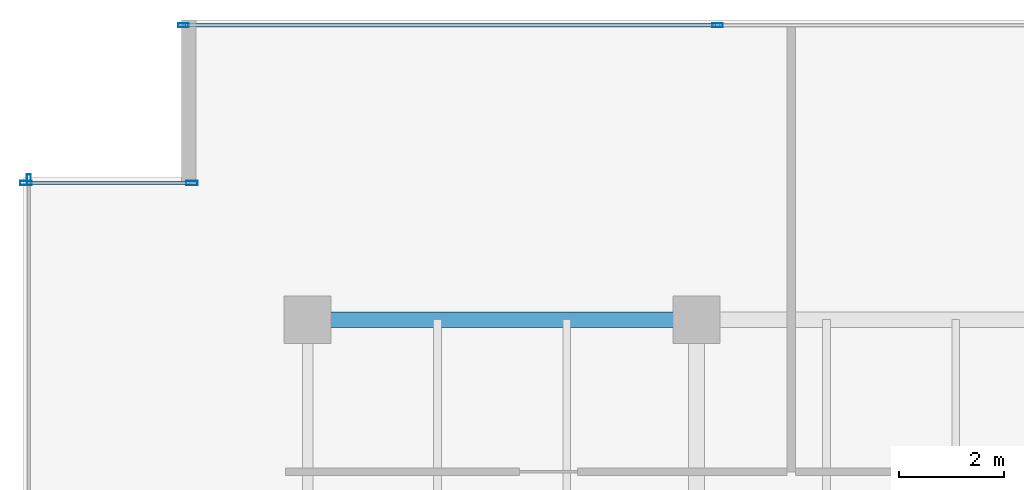
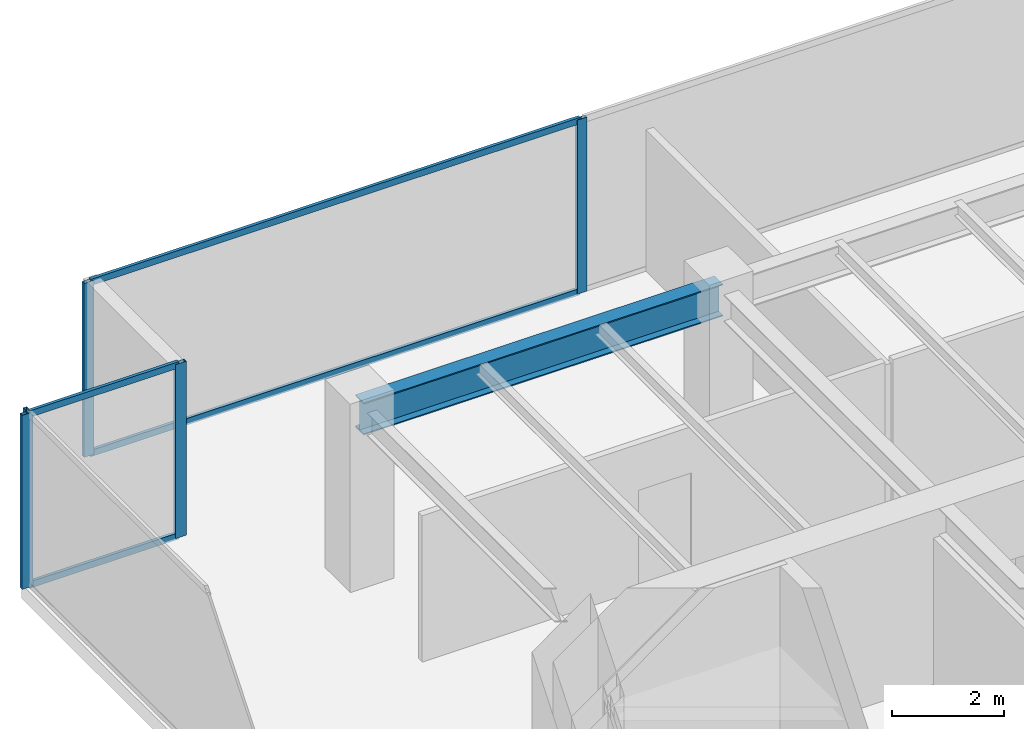
# One storey, part 14 of 31: 9 members, 1 beam, 3 elements without a shape of their own.
"""IFC4 building model written with IfcOpenShell, lengths in metres."""

import ifcopenshell
import ifcopenshell.guid

model = None  # the IFC model being written
_history = None  # IfcOwnerHistory: only IFC2X3 demands one
_inside = {}  # id of a spatial element -> (the spatial element, [elements in it])
_under = {}  # id of a project, library or spatial element -> (it, [spatial elements below it])
_declared = {}  # id of a project -> (the project, [libraries it declares])
_typed = {}  # id of a type object -> (the type object, [elements of that type])
_made_of = {}  # id of a material, layer set ... -> (it, [elements and type objects made of it])


def new_model(schema):
    """Start an empty IFC model of exactly this schema.

    Asked for "IFC4X3", IfcOpenShell would pick the latest addendum, in which some entities
    have other attributes; the version numbers below select the first issue.
    IFC2X3 requires an IfcOwnerHistory on every rooted entity: one is made here for all.
    """
    global model, _history
    if schema == "IFC4X3":
        model = ifcopenshell.file(schema_version=(4, 3, 0, 0))
    else:
        model = ifcopenshell.file(schema=schema)
    _inside.clear()
    _under.clear()
    _declared.clear()
    _typed.clear()
    _made_of.clear()
    _history = None
    if model.schema == "IFC2X3":
        org = make("IfcOrganization", Name="unknown")
        user = make(
            "IfcPersonAndOrganization",
            ThePerson=make("IfcPerson", FamilyName="unknown"),
            TheOrganization=org,
        )
        app = make(
            "IfcApplication",
            ApplicationDeveloper=org,
            Version="unknown",
            ApplicationFullName="unknown",
            ApplicationIdentifier="unknown",
        )
        _history = make(
            "IfcOwnerHistory",
            OwningUser=user,
            OwningApplication=app,
            ChangeAction="ADDED",
            CreationDate=0,
        )
    return model


def make(cls, **values):
    """One entity of the class cls with the attributes given. An attribute that is None is left unset."""
    return model.create_entity(
        cls, **{name: value for name, value in values.items() if value is not None}
    )


def rooted(cls, **values):
    """An entity with a GlobalId (a new one), such as an element, a storey or a relation."""
    return make(cls, GlobalId=ifcopenshell.guid.new(), OwnerHistory=_history, **values)


def si_unit(unit_type, name, prefix=None):
    """IfcSIUnit, for example si_unit("LENGTHUNIT", "METRE", prefix="MILLI")."""
    return make("IfcSIUnit", UnitType=unit_type, Prefix=prefix, Name=name)


def assignment(units):
    """IfcUnitAssignment: the units of a project."""
    return None if units is None else make("IfcUnitAssignment", Units=units)


def point(xyz):
    """IfcCartesianPoint."""
    return None if xyz is None else make("IfcCartesianPoint", Coordinates=xyz)


def direction(xyz):
    """IfcDirection."""
    return None if xyz is None else make("IfcDirection", DirectionRatios=xyz)


def frame(location, z_axis=None, x_axis=None):
    """IfcAxis2Placement3D, a coordinate frame: its origin and axes. An axis left out is left unset."""
    return make(
        "IfcAxis2Placement3D",
        Location=point(location),
        Axis=direction(z_axis),
        RefDirection=direction(x_axis),
    )


def frame_2d(location, x_axis=None):
    """IfcAxis2Placement2D, a coordinate frame in the plane: its origin and x axis."""
    return make(
        "IfcAxis2Placement2D", Location=point(location), RefDirection=direction(x_axis)
    )


def origin():
    """The frame at (0, 0, 0) with its axes left unset."""
    return frame((0.0, 0.0, 0.0))


def origin_2d():
    """The frame at (0, 0) in the plane with its x axis left unset."""
    return frame_2d((0.0, 0.0))


def place(relative_to, where):
    """IfcLocalPlacement: puts the frame where relative to a parent placement (None: the world)."""
    return make(
        "IfcLocalPlacement", PlacementRelTo=relative_to, RelativePlacement=where
    )


def context(
    kind, dimensions, precision=None, world=None, true_north=None, identifier=None
):
    """IfcGeometricRepresentationContext, for example the 3D "Model" context."""
    return make(
        "IfcGeometricRepresentationContext",
        ContextIdentifier=identifier,
        ContextType=kind,
        CoordinateSpaceDimension=dimensions,
        Precision=precision,
        WorldCoordinateSystem=world,
        TrueNorth=true_north,
    )


def subcontext(parent, identifier, kind, view, scale=None):
    """IfcGeometricRepresentationSubContext, for example "Body" below "Model"."""
    return make(
        "IfcGeometricRepresentationSubContext",
        ContextIdentifier=identifier,
        ContextType=kind,
        ParentContext=parent,
        TargetScale=scale,
        TargetView=view,
    )


def project(units=None, contexts=None):
    """IfcProject with its units and contexts."""
    return rooted(
        "IfcProject",
        Name="project",
        RepresentationContexts=contexts,
        UnitsInContext=assignment(units),
    )


def spatial(cls, under=None, at=None, **own):
    """A site, building, storey or space (cls), placed at a placement, below another one or the project."""
    s = rooted(cls, ObjectPlacement=at, **own)
    if under is not None:
        _under.setdefault(under.id(), (under, []))[1].append(s)
    return s


def profile(cls, at=None, kind="AREA", **sizes):
    """A parametric profile (cls). Its sizes go by their IFC names, for example OverallWidth=200.0."""
    return make(cls, ProfileType=kind, Position=at, **sizes)


def hollow_rectangle(**sizes):
    """IfcRectangleHollowProfileDef."""
    return profile("IfcRectangleHollowProfileDef", **sizes)


def i_section(**sizes):
    """IfcIShapeProfileDef."""
    return profile("IfcIShapeProfileDef", **sizes)


def extrude(swept, where, along, depth):
    """IfcExtrudedAreaSolid: the profile swept, set in the frame where, extruded along a direction by depth."""
    return make(
        "IfcExtrudedAreaSolid",
        SweptArea=swept,
        Position=where,
        ExtrudedDirection=direction(along),
        Depth=depth,
    )


def shape(context_of_items, identifier, shape_type, items):
    """IfcShapeRepresentation: the items that make up one representation, for example the "Body"."""
    return make(
        "IfcShapeRepresentation",
        ContextOfItems=context_of_items,
        RepresentationIdentifier=identifier,
        RepresentationType=shape_type,
        Items=items,
    )


def source(mapping_origin, context_of_items, identifier, shape_type, items):
    """IfcRepresentationMap: a shape defined once, which mapped items show again and again."""
    return make(
        "IfcRepresentationMap",
        MappingOrigin=mapping_origin,
        MappedRepresentation=shape(context_of_items, identifier, shape_type, items),
    )


def transform(
    local_origin,
    x_axis=None,
    y_axis=None,
    z_axis=None,
    scale=None,
    scale2=None,
    scale3=None,
    uniform=True,
):
    """IfcCartesianTransformationOperator3D, or its non-uniform kind. x_axis, y_axis, z_axis: its Axis1, 2, 3."""
    if uniform:
        return make(
            "IfcCartesianTransformationOperator3D",
            Axis1=direction(x_axis),
            Axis2=direction(y_axis),
            LocalOrigin=point(local_origin),
            Scale=scale,
            Axis3=direction(z_axis),
        )
    return make(
        "IfcCartesianTransformationOperator3DnonUniform",
        Axis1=direction(x_axis),
        Axis2=direction(y_axis),
        LocalOrigin=point(local_origin),
        Scale=scale,
        Axis3=direction(z_axis),
        Scale2=scale2,
        Scale3=scale3,
    )


def mapped(mapping_source, mapping_target):
    """IfcMappedItem: shows the shape of a source again, moved by a transform."""
    return make(
        "IfcMappedItem", MappingSource=mapping_source, MappingTarget=mapping_target
    )


def material(Name=None, Category=None):
    """IfcMaterial."""
    return make("IfcMaterial", Name=Name, Category=Category)


def layer(
    of_material, thickness, ventilated=None, Name=None, Category=None, Priority=None
):
    """IfcMaterialLayer: one layer of a wall or slab, of a material (None: an air gap)."""
    return make(
        "IfcMaterialLayer",
        Material=of_material,
        LayerThickness=thickness,
        IsVentilated=ventilated,
        Name=Name,
        Category=Category,
        Priority=Priority,
    )


def layer_set(layers, Name=None):
    """IfcMaterialLayerSet."""
    return make("IfcMaterialLayerSet", MaterialLayers=layers, LayerSetName=Name)


def material_profile(
    of_material, cross_section, Name=None, Category=None, Priority=None
):
    """IfcMaterialProfile: a cross section and its material."""
    return make(
        "IfcMaterialProfile",
        Name=Name,
        Material=of_material,
        Profile=cross_section,
        Priority=Priority,
        Category=Category,
    )


def profile_set(profiles, Name=None, composite=None):
    """IfcMaterialProfileSet."""
    return make(
        "IfcMaterialProfileSet",
        Name=Name,
        MaterialProfiles=profiles,
        CompositeProfile=composite,
    )


def made_of(thing, what):
    """Note that an element or type object is made of a material, layer set ...; save() writes the relation."""
    if what is not None:
        _made_of.setdefault(what.id(), (what, []))[1].append(thing)
    return thing


def type_object(cls, material=None, **own):
    """A type object (cls), such as IfcWallType, which elements share."""
    return made_of(rooted(cls, **own), material)


def type_shapes(of_type, sources):
    """Give a type object the sources (RepresentationMaps) that its elements show as mapped items."""
    of_type.RepresentationMaps = sources


def element(
    cls,
    number,
    at=None,
    inside=None,
    cuts=None,
    type_object=None,
    material=None,
    context=None,
    identifier="Body",
    shape_type=None,
    held_by="IfcProductDefinitionShape",
    body=None,
    shapes=None,
    **own,
):
    """One element of the class cls, such as IfcWall. Its Tag is "e" and its number.

    at: its placement. inside: the storey or other place that contains it. cuts: it is an
    opening in that element (IfcRelVoidsElement). A single representation is given by context,
    identifier, shape_type and body (its items); several are given by shapes. held_by: the class
    of the entity that holds the representations. save() writes the other relations.
    """
    e = rooted(cls, Tag="e%d" % number, ObjectPlacement=at, **own)
    if body is not None:
        shapes = [shape(context, identifier, shape_type, body)]
    if shapes is not None:
        e.Representation = make(held_by, Representations=shapes)
    if inside is not None:
        _inside.setdefault(inside.id(), (inside, []))[1].append(e)
    if cuts is not None:
        rooted(
            "IfcRelVoidsElement", RelatingBuildingElement=cuts, RelatedOpeningElement=e
        )
    if type_object is not None:
        _typed.setdefault(type_object.id(), (type_object, []))[1].append(e)
    return made_of(e, material)


def aggregate(whole, parts):
    """IfcRelAggregates: a whole, such as a stair, and the parts it consists of."""
    return rooted("IfcRelAggregates", RelatingObject=whole, RelatedObjects=parts)


def save(model, path):
    """Write the relations noted so far, then the file.

    IfcRelAggregates (storeys below a building ...), IfcRelContainedInSpatialStructure (elements
    in a storey), IfcRelDefinesByType, IfcRelAssociatesMaterial and IfcRelDeclares: one each for
    every whole, place, type object, material and project.
    """
    for whole, parts in _under.values():
        aggregate(whole, parts)
    for where, things in _inside.values():
        rooted(
            "IfcRelContainedInSpatialStructure",
            RelatedElements=things,
            RelatingStructure=where,
        )
    for kind, things in _typed.values():
        rooted("IfcRelDefinesByType", RelatedObjects=things, RelatingType=kind)
    for what, things in _made_of.values():
        rooted("IfcRelAssociatesMaterial", RelatedObjects=things, RelatingMaterial=what)
    for by, libraries in _declared.values():
        rooted("IfcRelDeclares", RelatingContext=by, RelatedDefinitions=libraries)
    model.write(path)


model = new_model("IFC4")

# Units and contexts
model_context = context("Model", 3, precision=1e-05, world=origin(), true_north=direction((0.0, 1.0)))
body_context = subcontext(model_context, "Body", "Model", "MODEL_VIEW")
ifc_project = project(units=[si_unit("LENGTHUNIT", "METRE"), si_unit("AREAUNIT", "SQUARE_METRE"), si_unit("VOLUMEUNIT", "CUBIC_METRE"), si_unit("PLANEANGLEUNIT", "RADIAN"), si_unit("MASSUNIT", "GRAM", prefix="KILO")], contexts=[model_context])

# Site, building, storey
site_placement = place(None, origin())
site = spatial("IfcSite", under=ifc_project, at=site_placement, CompositionType="ELEMENT")
building_placement = place(site_placement, origin())
building = spatial("IfcBuilding", under=site, at=building_placement, Name="Haelvirn Gate Laboratories", CompositionType="ELEMENT")
storey_placement = place(building_placement, frame((0.0, 0.0, 174.800048828125)))
storey = spatial("IfcBuildingStorey", under=building, at=storey_placement, Name="L42", CompositionType="ELEMENT", Elevation=174.800048828125)

# Beam
ifc_material_1 = material(Name="Steel SM355", Category="steel")
ifc_material_profile_1 = material_profile(ifc_material_1, i_section(OverallWidth=0.300048828125, OverallDepth=0.699951171875, WebThickness=0.012939453125, FlangeThickness=0.02392578125, at=origin_2d()), Name="H-700x300x13x24")
ifc_profile_set_1 = profile_set([ifc_material_profile_1], Name="Steel SM355")
beam_type = type_object("IfcBeamType", Name="BM-G-700", PredefinedType="BEAM", material=ifc_profile_set_1)
shared_shape_1 = source(origin(), body_context, "Body", "SweptSolid", [
    extrude(i_section(OverallWidth=0.300048828125, OverallDepth=0.699951171875, WebThickness=0.012939453125, FlangeThickness=0.02392578125, at=origin_2d()), origin(), (0.0, 0.0, 1.0), 7.400146484375),
])
type_shapes(beam_type, [shared_shape_1])
beam_placement = place(storey_placement, frame((7.39990234375, 41.60009765625, 3.43994140625), z_axis=(1.0, 0.0, 0.0), x_axis=(0.0, 1.0, 0.0)))
element("IfcBeam", 1, at=beam_placement, inside=storey, type_object=beam_type, Name="L42 Primary Girder Y41.6 (7.4-14.8)", PredefinedType="BEAM", context=body_context, shape_type="MappedRepresentation", body=[
    mapped(shared_shape_1, transform((0.0, 0.0, 0.0), scale=1.0)),
])

# Curtain wall, members
ifc_material_2 = material(Name="Anodised bronze unitised aluminium & triple low-E glass", Category="aluminium")
ifc_layer_1 = layer(ifc_material_2, 0.179931640625, Name="CW-SYS-3")
ifc_layer_set_1 = layer_set([ifc_layer_1], Name="Anodised bronze unitised aluminium & triple low-E glass")
curtain_wall_type_1 = type_object("IfcCurtainWallType", Name="CW-SYS-3", PredefinedType="NOTDEFINED", material=ifc_layer_set_1)
curtain_wall_1_placement = place(storey_placement, origin())
curtain_wall_1 = element("IfcCurtainWall", 2, at=curtain_wall_1_placement, inside=storey, type_object=curtain_wall_type_1, Name="L42 Unitised Curtain Wall CW-L42-P0-E14-1", PredefinedType="NOTDEFINED")
ifc_material_3 = material(Name="Extruded aluminium 6063-T6 (anodised bronze)", Category="aluminium")
ifc_material_profile_2 = material_profile(ifc_material_3, hollow_rectangle(XDim=0.06494140625, YDim=0.139892578125, WallThickness=0.00390625, at=origin_2d()), Name="CWT-140x65x4")
ifc_profile_set_2 = profile_set([ifc_material_profile_2], Name="Extruded aluminium 6063-T6 (anodised bronze)")
member_type_1 = type_object("IfcMemberType", Name="CWT-T140", PredefinedType="USERDEFINED", material=ifc_profile_set_2)
shared_shape_2 = source(origin(), body_context, "Body", "SweptSolid", [
    extrude(hollow_rectangle(XDim=0.06494140625, YDim=0.139892578125, WallThickness=0.00390625, at=origin_2d()), origin(), (0.0, 0.0, 1.0), 10.087646484375),
])
member_1_placement = place(storey_placement, frame((5.074951171875, 47.199951171875, 0.032470703125), z_axis=(1.0, 0.0, 0.0), x_axis=(0.0, 1.0, 0.0)))
member_1 = element("IfcMember", 3, at=member_1_placement, type_object=member_type_1, Name="CW3 transom 1.1", ObjectType="TRANSOM", PredefinedType="USERDEFINED", context=body_context, shape_type="MappedRepresentation", body=[
    mapped(shared_shape_2, transform((0.0, 0.0, 0.0), scale=1.0)),
])
member_2_placement = place(storey_placement, frame((5.074951171875, 47.199951171875, 3.757568359375), z_axis=(1.0, 0.0, 0.0), x_axis=(0.0, 1.0, 0.0)))
member_2 = element("IfcMember", 4, at=member_2_placement, type_object=member_type_1, Name="CW3 transom 1.2", ObjectType="TRANSOM", PredefinedType="USERDEFINED", context=body_context, shape_type="MappedRepresentation", body=[
    mapped(shared_shape_2, transform((0.0, 0.0, 0.0), scale=1.0)),
])

ifc_layer_2 = layer(ifc_material_2, 0.181884765625, Name="CW-SYS-5")
ifc_layer_set_2 = layer_set([ifc_layer_2], Name="Anodised bronze unitised aluminium & triple low-E glass")
curtain_wall_type_2 = type_object("IfcCurtainWallType", Name="CW-SYS-5", PredefinedType="NOTDEFINED", material=ifc_layer_set_2)
curtain_wall_2_placement = place(storey_placement, origin())
curtain_wall_2 = element("IfcCurtainWall", 5, at=curtain_wall_2_placement, inside=storey, type_object=curtain_wall_type_2, Name="L42 Unitised Curtain Wall CW-L42-P0-E16-1", PredefinedType="NOTDEFINED")
shared_shape_3 = source(origin(), body_context, "Body", "SweptSolid", [
    extrude(hollow_rectangle(XDim=0.06494140625, YDim=0.139892578125, WallThickness=0.00390625, at=origin_2d()), origin(), (0.0, 0.0, 1.0), 3.079833984375),
])
type_shapes(member_type_1, [shared_shape_2, shared_shape_3])
member_3_placement = place(storey_placement, frame((2.080078125, 44.199951171875, 0.032470703125), z_axis=(1.0, 0.0, 0.0), x_axis=(0.0, 1.0, 0.0)))
member_3 = element("IfcMember", 6, at=member_3_placement, type_object=member_type_1, Name="CW5 transom 1.1", ObjectType="TRANSOM", PredefinedType="USERDEFINED", context=body_context, shape_type="MappedRepresentation", body=[
    mapped(shared_shape_3, transform((0.0, 0.0, 0.0), scale=1.0)),
])
member_4_placement = place(storey_placement, frame((2.080078125, 44.199951171875, 3.757568359375), z_axis=(1.0, 0.0, 0.0), x_axis=(0.0, 1.0, 0.0)))
member_4 = element("IfcMember", 7, at=member_4_placement, type_object=member_type_1, Name="CW5 transom 1.2", ObjectType="TRANSOM", PredefinedType="USERDEFINED", context=body_context, shape_type="MappedRepresentation", body=[
    mapped(shared_shape_3, transform((0.0, 0.0, 0.0), scale=1.0)),
])

# Member
ifc_material_profile_3 = material_profile(ifc_material_3, hollow_rectangle(XDim=0.074951171875, YDim=0.199951171875, WallThickness=0.0048828125, at=origin_2d()), Name="CWM-200x75x5")
ifc_profile_set_3 = profile_set([ifc_material_profile_3], Name="Extruded aluminium 6063-T6 (anodised bronze)")
member_type_2 = type_object("IfcMemberType", Name="CWM-T200", PredefinedType="MULLION", material=ifc_profile_set_3)
shared_shape_4 = source(origin(), body_context, "Body", "SweptSolid", [
    extrude(hollow_rectangle(XDim=0.074951171875, YDim=0.199951171875, WallThickness=0.0048828125, at=origin_2d()), origin(), (0.0, 0.0, 1.0), 3.7900390625),
])
type_shapes(member_type_2, [shared_shape_4])
member_5_placement = place(storey_placement, frame((5.03759765625, 47.199951171875, 0.0), z_axis=(0.0, 0.0, 1.0), x_axis=(0.0, 1.0, 0.0)))
member_5 = element("IfcMember", 8, at=member_5_placement, type_object=member_type_2, Name="CW3 mullion 1", PredefinedType="MULLION", context=body_context, shape_type="MappedRepresentation", body=[
    mapped(shared_shape_4, transform((0.0, 0.0, 0.0), scale=1.0)),
])

member_6_placement = place(storey_placement, frame((15.199951171875, 47.199951171875, 0.0), z_axis=(0.0, 0.0, 1.0), x_axis=(0.0, 1.0, 0.0)))
member_6 = element("IfcMember", 9, at=member_6_placement, type_object=member_type_2, Name="CW3 mullion 2", PredefinedType="MULLION", context=body_context, shape_type="MappedRepresentation", body=[
    mapped(shared_shape_4, transform((0.0, 0.0, 0.0), scale=1.0)),
])

aggregate(curtain_wall_1, [member_5, member_6, member_1, member_2])

# Curtain wall, member
curtain_wall_3_placement = place(storey_placement, origin())
curtain_wall_3 = element("IfcCurtainWall", 10, at=curtain_wall_3_placement, inside=storey, type_object=curtain_wall_type_1, Name="L42 Unitised Curtain Wall CW-L42-P0-E17", PredefinedType="NOTDEFINED")
member_7_placement = place(storey_placement, frame((2.10009765625, 44.262451171875, 0.0), z_axis=(0.0, 0.0, 1.0), x_axis=(1.0, 0.0, 0.0)))
member_7 = element("IfcMember", 11, at=member_7_placement, type_object=member_type_2, Name="CW3 mullion 1", PredefinedType="MULLION", context=body_context, shape_type="MappedRepresentation", body=[
    mapped(shared_shape_4, transform((0.0, 0.0, 0.0), scale=1.0)),
])
aggregate(curtain_wall_3, [member_7])

# Member
ifc_material_profile_4 = material_profile(ifc_material_3, hollow_rectangle(XDim=0.080078125, YDim=0.219970703125, WallThickness=0.006103515625, at=origin_2d()), Name="CWM-220x80x6")
ifc_profile_set_4 = profile_set([ifc_material_profile_4], Name="Extruded aluminium 6063-T6 (anodised bronze)")
member_type_3 = type_object("IfcMemberType", Name="CWM-T220", PredefinedType="MULLION", material=ifc_profile_set_4)
shared_shape_5 = source(origin(), body_context, "Body", "SweptSolid", [
    extrude(hollow_rectangle(XDim=0.080078125, YDim=0.219970703125, WallThickness=0.006103515625, at=origin_2d()), origin(), (0.0, 0.0, 1.0), 3.7900390625),
])
type_shapes(member_type_3, [shared_shape_5])
member_8_placement = place(storey_placement, frame((2.0400390625, 44.199951171875, 0.0), z_axis=(0.0, 0.0, 1.0), x_axis=(0.0, 1.0, 0.0)))
member_8 = element("IfcMember", 12, at=member_8_placement, type_object=member_type_3, Name="CW5 mullion 1", PredefinedType="MULLION", context=body_context, shape_type="MappedRepresentation", body=[
    mapped(shared_shape_5, transform((0.0, 0.0, 0.0), scale=1.0)),
])

member_9_placement = place(storey_placement, frame((5.199951171875, 44.199951171875, 0.0), z_axis=(0.0, 0.0, 1.0), x_axis=(0.0, 1.0, 0.0)))
member_9 = element("IfcMember", 13, at=member_9_placement, type_object=member_type_3, Name="CW5 mullion 2", PredefinedType="MULLION", context=body_context, shape_type="MappedRepresentation", body=[
    mapped(shared_shape_5, transform((0.0, 0.0, 0.0), scale=1.0)),
])

aggregate(curtain_wall_2, [member_8, member_9, member_3, member_4])

save(model, "model.ifc")
